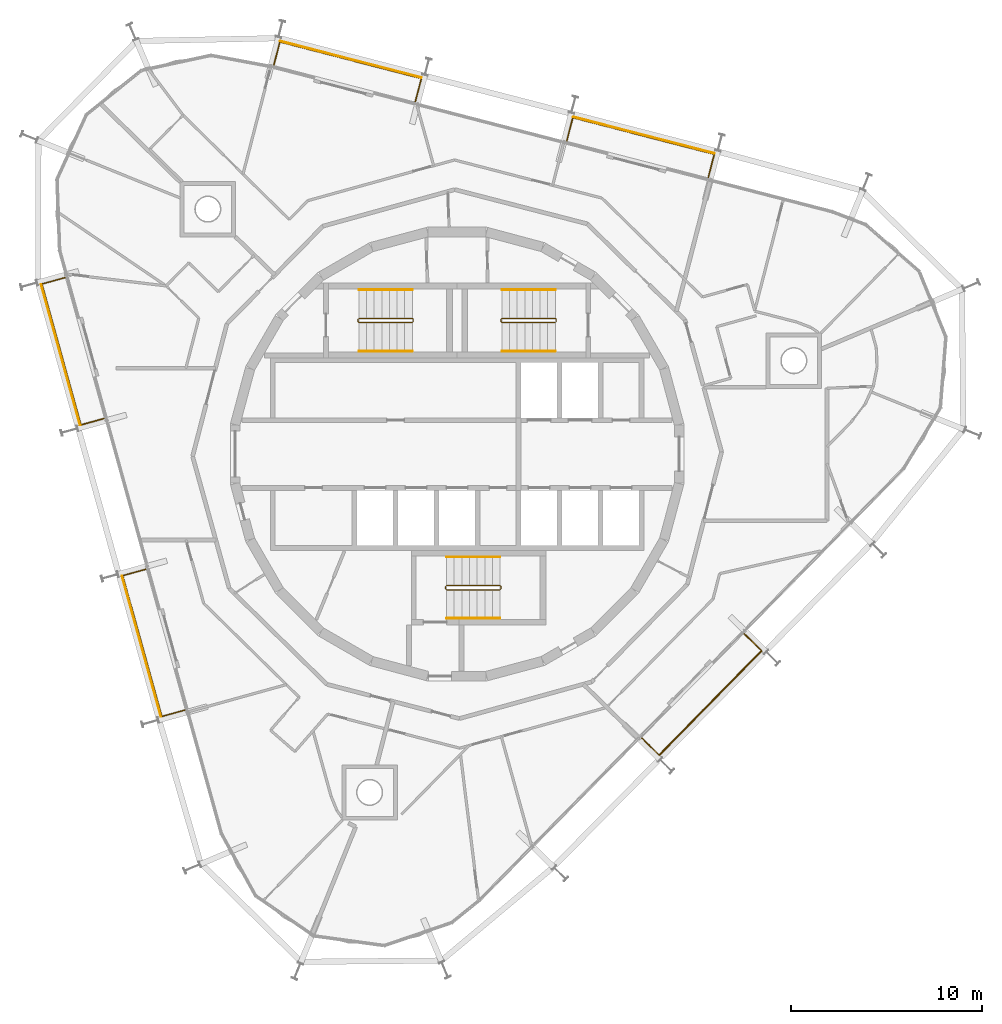
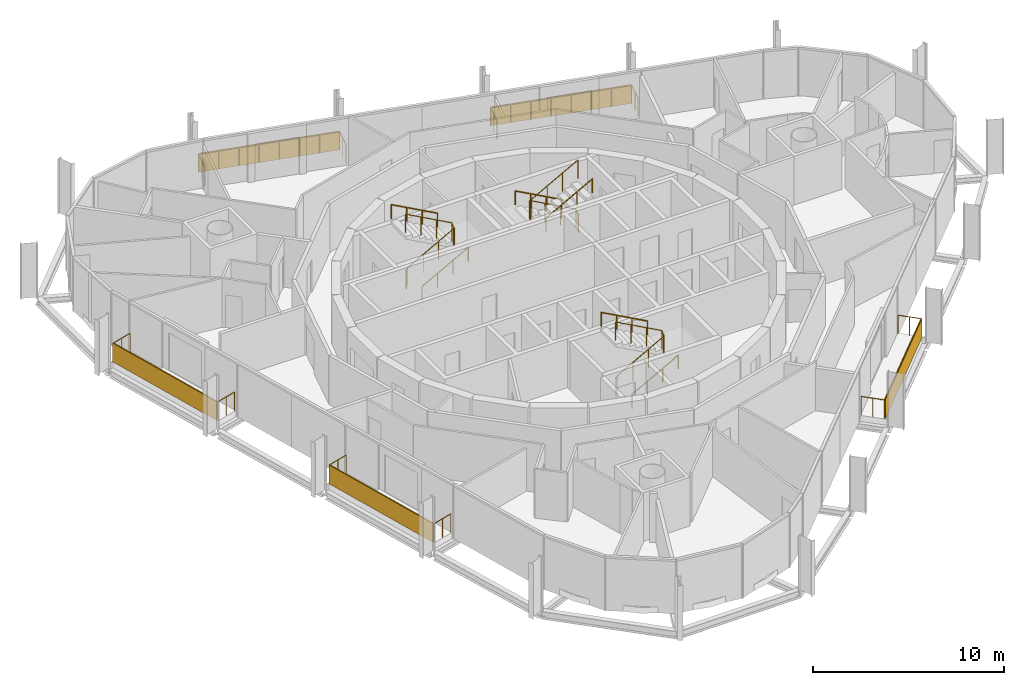
# One storey, part 15 of 15: 14 railings, 5 shading devices.
"""IFC4 building model written with IfcOpenShell, lengths in metres."""

from ifc_helpers import new_model, si_unit, direction, frame, origin, origin_2d, place, context, subcontext, project, spatial, rectangle, circle, extrude, material, layer, layer_set, type_object, element, save


model = new_model("IFC4")

# Units and contexts
model_context = context("Model", 3, precision=1e-05, world=origin(), true_north=direction((0.0, 1.0)))
body_context = subcontext(model_context, "Body", "Model", "MODEL_VIEW")
ifc_project = project(units=[si_unit("LENGTHUNIT", "METRE"), si_unit("AREAUNIT", "SQUARE_METRE"), si_unit("VOLUMEUNIT", "CUBIC_METRE"), si_unit("PLANEANGLEUNIT", "RADIAN"), si_unit("MASSUNIT", "GRAM", prefix="KILO")], contexts=[model_context])

# Site, building, storey
site_placement = place(None, origin())
site = spatial("IfcSite", under=ifc_project, at=site_placement, CompositionType="ELEMENT")
building_placement = place(site_placement, origin())
building = spatial("IfcBuilding", under=site, at=building_placement, Name="Spindle Arch Residences", CompositionType="ELEMENT")
storey_placement = place(building_placement, frame((0.0, 0.0, 308.699951171875)))
storey = spatial("IfcBuildingStorey", under=building, at=storey_placement, Name="L79", CompositionType="ELEMENT", Elevation=308.699951171875)

# Railings
ifc_material_1 = material(Name="Bronze anodised aluminium guard with glass infill", Category="aluminium")
railing_type_1 = type_object("IfcRailingType", Name="Balcony guard 1200", PredefinedType="GUARDRAIL", material=ifc_material_1)
railing_1_placement = place(storey_placement, frame((13.17724609375, 14.517822265625, 0.0)))
element("IfcRailing", 1, at=railing_1_placement, inside=storey, type_object=railing_type_1, Name="Guard L79 bay 6", PredefinedType="GUARDRAIL", context=body_context, shape_type="SweptSolid", body=[
    extrude(circle(Radius=0.02392578125, at=origin_2d()), frame((0.0, 0.0, 1.17578125), z_axis=(0.250385978254, 0.968146095325, 0.0), x_axis=(-0.968146095325, 0.250385978254, 0.0)), (0.0, 0.0, 1.0), 1.25),
    extrude(circle(Radius=0.02392578125, at=origin_2d()), frame((0.31298828125, 1.210205078125, 1.17578125), z_axis=(-0.968154898372, 0.250351937795, 0.0), x_axis=(-0.250351937795, -0.968154898372, 0.0)), (0.0, 0.0, 1.0), 7.6650390625),
    extrude(circle(Radius=0.02392578125, at=origin_2d()), frame((-7.10791015625, 3.129150390625, 1.17578125), z_axis=(-0.250433331774, -0.968133847325, 0.0), x_axis=(0.968133847325, -0.250433331774, 0.0)), (0.0, 0.0, 1.0), 1.249755859375),
    extrude(circle(Radius=0.02099609375, at=origin_2d()), origin(), (0.0, 0.0, 1.0), 1.15185546875),
    extrude(circle(Radius=0.02099609375, at=origin_2d()), frame((0.156494140625, 0.60498046875, 0.0)), (0.0, 0.0, 1.0), 1.15185546875),
    extrude(circle(Radius=0.02099609375, at=origin_2d()), frame((0.31298828125, 1.210205078125, 0.0)), (0.0, 0.0, 1.0), 1.15185546875),
    extrude(circle(Radius=0.02099609375, at=origin_2d()), frame((-0.7470703125, 1.484375, 0.0)), (0.0, 0.0, 1.0), 1.15185546875),
    extrude(circle(Radius=0.02099609375, at=origin_2d()), frame((-1.807373046875, 1.758544921875, 0.0)), (0.0, 0.0, 1.0), 1.15185546875),
    extrude(circle(Radius=0.02099609375, at=origin_2d()), frame((-2.867431640625, 2.03271484375, 0.0)), (0.0, 0.0, 1.0), 1.15185546875),
    extrude(circle(Radius=0.02099609375, at=origin_2d()), frame((-3.927490234375, 2.306640625, 0.0)), (0.0, 0.0, 1.0), 1.15185546875),
    extrude(circle(Radius=0.02099609375, at=origin_2d()), frame((-4.987548828125, 2.580810546875, 0.0)), (0.0, 0.0, 1.0), 1.15185546875),
    extrude(circle(Radius=0.02099609375, at=origin_2d()), frame((-6.0478515625, 2.85498046875, 0.0)), (0.0, 0.0, 1.0), 1.15185546875),
    extrude(circle(Radius=0.02099609375, at=origin_2d()), frame((-7.10791015625, 3.129150390625, 0.0)), (0.0, 0.0, 1.0), 1.15185546875),
    extrude(circle(Radius=0.02099609375, at=origin_2d()), frame((-7.264404296875, 2.524169921875, 0.0)), (0.0, 0.0, 1.0), 1.15185546875),
    extrude(circle(Radius=0.02099609375, at=origin_2d()), frame((-7.4208984375, 1.919189453125, 0.0)), (0.0, 0.0, 1.0), 1.15185546875),
])
railing_2_placement = place(storey_placement, frame((-2.1875, 18.4912109375, 0.0)))
element("IfcRailing", 2, at=railing_2_placement, inside=storey, type_object=railing_type_1, Name="Guard L79 bay 8", PredefinedType="GUARDRAIL", context=body_context, shape_type="SweptSolid", body=[
    extrude(circle(Radius=0.02392578125, at=origin_2d()), frame((0.0, 0.0, 1.17578125), z_axis=(0.250385978254, 0.968146095325, 0.0), x_axis=(-0.968146095325, 0.250385978254, 0.0)), (0.0, 0.0, 1.0), 1.25),
    extrude(circle(Radius=0.02392578125, at=origin_2d()), frame((0.31298828125, 1.210205078125, 1.17578125), z_axis=(-0.968147177851, 0.250381792508, 0.0), x_axis=(-0.250381792508, -0.968147177851, 0.0)), (0.0, 0.0, 1.0), 7.6650390625),
    extrude(circle(Radius=0.02392578125, at=origin_2d()), frame((-7.10791015625, 3.12939453125, 1.17578125), z_axis=(-0.250385978254, -0.968146095325, 0.0), x_axis=(0.968146095325, -0.250385978254, 0.0)), (0.0, 0.0, 1.0), 1.25),
    extrude(circle(Radius=0.02099609375, at=origin_2d()), origin(), (0.0, 0.0, 1.0), 1.15185546875),
    extrude(circle(Radius=0.02099609375, at=origin_2d()), frame((0.156494140625, 0.60498046875, 0.0)), (0.0, 0.0, 1.0), 1.15185546875),
    extrude(circle(Radius=0.02099609375, at=origin_2d()), frame((0.31298828125, 1.210205078125, 0.0)), (0.0, 0.0, 1.0), 1.15185546875),
    extrude(circle(Radius=0.02099609375, at=origin_2d()), frame((-0.7470703125, 1.484375, 0.0)), (0.0, 0.0, 1.0), 1.15185546875),
    extrude(circle(Radius=0.02099609375, at=origin_2d()), frame((-1.807373046875, 1.758544921875, 0.0)), (0.0, 0.0, 1.0), 1.15185546875),
    extrude(circle(Radius=0.02099609375, at=origin_2d()), frame((-2.867431640625, 2.03271484375, 0.0)), (0.0, 0.0, 1.0), 1.15185546875),
    extrude(circle(Radius=0.02099609375, at=origin_2d()), frame((-3.927490234375, 2.306884765625, 0.0)), (0.0, 0.0, 1.0), 1.15185546875),
    extrude(circle(Radius=0.02099609375, at=origin_2d()), frame((-4.987548828125, 2.5810546875, 0.0)), (0.0, 0.0, 1.0), 1.15185546875),
    extrude(circle(Radius=0.02099609375, at=origin_2d()), frame((-6.0478515625, 2.855224609375, 0.0)), (0.0, 0.0, 1.0), 1.15185546875),
    extrude(circle(Radius=0.02099609375, at=origin_2d()), frame((-7.10791015625, 3.12939453125, 0.0)), (0.0, 0.0, 1.0), 1.15185546875),
    extrude(circle(Radius=0.02099609375, at=origin_2d()), frame((-7.264404296875, 2.5244140625, 0.0)), (0.0, 0.0, 1.0), 1.15185546875),
    extrude(circle(Radius=0.02099609375, at=origin_2d()), frame((-7.4208984375, 1.919189453125, 0.0)), (0.0, 0.0, 1.0), 1.15185546875),
])
railing_3_placement = place(storey_placement, frame((-20.574951171875, 9.250732421875, 0.0)))
element("IfcRailing", 3, at=railing_3_placement, inside=storey, type_object=railing_type_1, Name="Guard L79 bay 12", PredefinedType="GUARDRAIL", context=body_context, shape_type="SweptSolid", body=[
    extrude(circle(Radius=0.02392578125, at=origin_2d()), frame((0.0, 0.0, 1.17578125), z_axis=(-0.963596211055, -0.267361818592, 0.0), x_axis=(0.267361818592, -0.963596211055, 0.0)), (0.0, 0.0, 1.0), 1.25),
    extrude(circle(Radius=0.02392578125, at=origin_2d()), frame((-1.20458984375, -0.334228515625, 1.17578125), z_axis=(0.267233148219, -0.963631903007, 0.0), x_axis=(0.963631903007, 0.267233148219, 0.0)), (0.0, 0.0, 1.0), 7.6650390625),
    extrude(circle(Radius=0.02392578125, at=origin_2d()), frame((0.84375, -7.720458984375, 1.17578125), z_axis=(0.963646510798, 0.267180467526, 0.0), x_axis=(-0.267180467526, 0.963646510798, 0.0)), (0.0, 0.0, 1.0), 1.25),
    extrude(circle(Radius=0.02099609375, at=origin_2d()), origin(), (0.0, 0.0, 1.0), 1.15185546875),
    extrude(circle(Radius=0.02099609375, at=origin_2d()), frame((-0.602294921875, -0.1669921875, 0.0)), (0.0, 0.0, 1.0), 1.15185546875),
    extrude(circle(Radius=0.02099609375, at=origin_2d()), frame((-1.20458984375, -0.334228515625, 0.0)), (0.0, 0.0, 1.0), 1.15185546875),
    extrude(circle(Radius=0.02099609375, at=origin_2d()), frame((-0.911865234375, -1.389404296875, 0.0)), (0.0, 0.0, 1.0), 1.15185546875),
    extrude(circle(Radius=0.02099609375, at=origin_2d()), frame((-0.619384765625, -2.444580078125, 0.0)), (0.0, 0.0, 1.0), 1.15185546875),
    extrude(circle(Radius=0.02099609375, at=origin_2d()), frame((-0.32666015625, -3.499755859375, 0.0)), (0.0, 0.0, 1.0), 1.15185546875),
    extrude(circle(Radius=0.02099609375, at=origin_2d()), frame((-0.0341796875, -4.554931640625, 0.0)), (0.0, 0.0, 1.0), 1.15185546875),
    extrude(circle(Radius=0.02099609375, at=origin_2d()), frame((0.258544921875, -5.610107421875, 0.0)), (0.0, 0.0, 1.0), 1.15185546875),
    extrude(circle(Radius=0.02099609375, at=origin_2d()), frame((0.551025390625, -6.665283203125, 0.0)), (0.0, 0.0, 1.0), 1.15185546875),
    extrude(circle(Radius=0.02099609375, at=origin_2d()), frame((0.84375, -7.720458984375, 0.0)), (0.0, 0.0, 1.0), 1.15185546875),
    extrude(circle(Radius=0.02099609375, at=origin_2d()), frame((1.446044921875, -7.553466796875, 0.0)), (0.0, 0.0, 1.0), 1.15185546875),
    extrude(circle(Radius=0.02099609375, at=origin_2d()), frame((2.04833984375, -7.386474609375, 0.0)), (0.0, 0.0, 1.0), 1.15185546875),
])
railing_4_placement = place(storey_placement, frame((-16.333984375, -6.042236328125, 0.0)))
element("IfcRailing", 4, at=railing_4_placement, inside=storey, type_object=railing_type_1, Name="Guard L79 bay 14", PredefinedType="GUARDRAIL", context=body_context, shape_type="SweptSolid", body=[
    extrude(circle(Radius=0.02392578125, at=origin_2d()), frame((0.0, 0.0, 1.17578125), z_axis=(-0.963596211055, -0.267361818592, 0.0), x_axis=(0.267361818592, -0.963596211055, 0.0)), (0.0, 0.0, 1.0), 1.25),
    extrude(circle(Radius=0.02392578125, at=origin_2d()), frame((-1.20458984375, -0.334228515625, 1.17578125), z_axis=(0.267262724609, -0.963623700432, 0.0), x_axis=(0.963623700432, 0.267262724609, 0.0)), (0.0, 0.0, 1.0), 7.6650390625),
    extrude(circle(Radius=0.02392578125, at=origin_2d()), frame((0.843994140625, -7.720458984375, 1.17578125), z_axis=(0.963632564766, 0.26723076193, 0.0), x_axis=(-0.26723076193, 0.963632564766, 0.0)), (0.0, 0.0, 1.0), 1.249755859375),
    extrude(circle(Radius=0.02099609375, at=origin_2d()), origin(), (0.0, 0.0, 1.0), 1.15185546875),
    extrude(circle(Radius=0.02099609375, at=origin_2d()), frame((-0.602294921875, -0.1669921875, 0.0)), (0.0, 0.0, 1.0), 1.15185546875),
    extrude(circle(Radius=0.02099609375, at=origin_2d()), frame((-1.20458984375, -0.334228515625, 0.0)), (0.0, 0.0, 1.0), 1.15185546875),
    extrude(circle(Radius=0.02099609375, at=origin_2d()), frame((-0.911865234375, -1.389404296875, 0.0)), (0.0, 0.0, 1.0), 1.15185546875),
    extrude(circle(Radius=0.02099609375, at=origin_2d()), frame((-0.619384765625, -2.444580078125, 0.0)), (0.0, 0.0, 1.0), 1.15185546875),
    extrude(circle(Radius=0.02099609375, at=origin_2d()), frame((-0.32666015625, -3.499755859375, 0.0)), (0.0, 0.0, 1.0), 1.15185546875),
    extrude(circle(Radius=0.02099609375, at=origin_2d()), frame((-0.033935546875, -4.554931640625, 0.0)), (0.0, 0.0, 1.0), 1.15185546875),
    extrude(circle(Radius=0.02099609375, at=origin_2d()), frame((0.2587890625, -5.610107421875, 0.0)), (0.0, 0.0, 1.0), 1.15185546875),
    extrude(circle(Radius=0.02099609375, at=origin_2d()), frame((0.55126953125, -6.665283203125, 0.0)), (0.0, 0.0, 1.0), 1.15185546875),
    extrude(circle(Radius=0.02099609375, at=origin_2d()), frame((0.843994140625, -7.720458984375, 0.0)), (0.0, 0.0, 1.0), 1.15185546875),
    extrude(circle(Radius=0.02099609375, at=origin_2d()), frame((1.4462890625, -7.553466796875, 0.0)), (0.0, 0.0, 1.0), 1.15185546875),
    extrude(circle(Radius=0.02099609375, at=origin_2d()), frame((2.04833984375, -7.386474609375, 0.0)), (0.0, 0.0, 1.0), 1.15185546875),
])
railing_5_placement = place(storey_placement, frame((9.69189453125, -14.8974609375, 0.0)))
element("IfcRailing", 5, at=railing_5_placement, inside=storey, type_object=railing_type_1, Name="Guard L79 bay 20", PredefinedType="GUARDRAIL", context=body_context, shape_type="SweptSolid", body=[
    extrude(circle(Radius=0.02392578125, at=origin_2d()), frame((0.0, 0.0, 1.17578125), z_axis=(0.713231937859, -0.700928101034, 0.0), x_axis=(0.700928101034, 0.713231937859, 0.0)), (0.0, 0.0, 1.0), 1.25),
    extrude(circle(Radius=0.02392578125, at=origin_2d()), frame((0.8916015625, -0.876220703125, 1.17578125), z_axis=(0.700916720912, 0.713243121485, 0.0), x_axis=(-0.713243121485, 0.700916720912, 0.0)), (0.0, 0.0, 1.0), 7.6650390625),
    extrude(circle(Radius=0.02392578125, at=origin_2d()), frame((6.26416015625, 4.5908203125, 1.17578125), z_axis=(-0.713231937859, 0.700928101034, 0.0), x_axis=(-0.700928101034, -0.713231937859, 0.0)), (0.0, 0.0, 1.0), 1.25),
    extrude(circle(Radius=0.02099609375, at=origin_2d()), origin(), (0.0, 0.0, 1.0), 1.15185546875),
    extrude(circle(Radius=0.02099609375, at=origin_2d()), frame((0.44580078125, -0.43798828125, 0.0)), (0.0, 0.0, 1.0), 1.15185546875),
    extrude(circle(Radius=0.02099609375, at=origin_2d()), frame((0.8916015625, -0.876220703125, 0.0)), (0.0, 0.0, 1.0), 1.15185546875),
    extrude(circle(Radius=0.02099609375, at=origin_2d()), frame((1.6591796875, -0.09521484375, 0.0)), (0.0, 0.0, 1.0), 1.15185546875),
    extrude(circle(Radius=0.02099609375, at=origin_2d()), frame((2.426513671875, 0.685791015625, 0.0)), (0.0, 0.0, 1.0), 1.15185546875),
    extrude(circle(Radius=0.02099609375, at=origin_2d()), frame((3.194091796875, 1.466796875, 0.0)), (0.0, 0.0, 1.0), 1.15185546875),
    extrude(circle(Radius=0.02099609375, at=origin_2d()), frame((3.961669921875, 2.247802734375, 0.0)), (0.0, 0.0, 1.0), 1.15185546875),
    extrude(circle(Radius=0.02099609375, at=origin_2d()), frame((4.729248046875, 3.02880859375, 0.0)), (0.0, 0.0, 1.0), 1.15185546875),
    extrude(circle(Radius=0.02099609375, at=origin_2d()), frame((5.49658203125, 3.809814453125, 0.0)), (0.0, 0.0, 1.0), 1.15185546875),
    extrude(circle(Radius=0.02099609375, at=origin_2d()), frame((6.26416015625, 4.5908203125, 0.0)), (0.0, 0.0, 1.0), 1.15185546875),
    extrude(circle(Radius=0.02099609375, at=origin_2d()), frame((5.818359375, 5.02880859375, 0.0)), (0.0, 0.0, 1.0), 1.15185546875),
    extrude(circle(Radius=0.02099609375, at=origin_2d()), frame((5.37255859375, 5.467041015625, 0.0)), (0.0, 0.0, 1.0), 1.15185546875),
])

# Shading devices
ifc_material_2 = material(Name="Bronze perforated cobogo screen")
ifc_layer = layer(ifc_material_2, 0.0390625)
ifc_layer_set = layer_set([ifc_layer], Name="Cobogo screen 1200")
shading_device_type = type_object("IfcShadingDeviceType", Name="Cobogo screen 1200", PredefinedType="USERDEFINED", material=ifc_layer_set)
for number, where, z_axis, x_axis, name in (
    (6, (9.7900390625, 16.726806640625, 0.0), (0.0, 0.0, 1.0), (-0.968147640378, 0.250380004054, 0.0), "Cobogo screen L79 bay 6"),
    (7, (-5.57470703125, 20.7001953125, 0.0), (0.0, 0.0, 1.0), (-0.968147640378, 0.250380004054, 0.0), "Cobogo screen L79 bay 8"),
    (8, (-20.79443359375, 5.212646484375, 0.0), (0.0, 0.0, 1.0), (0.267238376078, -0.963630453209, 0.0), "Cobogo screen L79 bay 12"),
    (9, (-16.55322265625, -10.080322265625, 0.0), (0.0, 0.0, 1.0), (0.267238376078, -0.963630453209, 0.0), "Cobogo screen L79 bay 14"),
    (10, (13.298583984375, -13.068603515625, 0.0), (0.0, 0.0, 1.0), (0.7009092643, 0.713250449154, 0.0), "Cobogo screen L79 bay 20"),
):
    element("IfcShadingDevice", number, at=place(storey_placement, frame(where, z_axis=z_axis, x_axis=x_axis)), inside=storey, type_object=shading_device_type, Name=name, ObjectType="SCREEN", PredefinedType="USERDEFINED", context=body_context, shape_type="SweptSolid", body=[
        extrude(rectangle(XDim=7.6650390625, YDim=0.0390625, at=origin_2d()), origin(), (0.0, 0.0, 1.0), 1.199951171875),
    ])

# Railings
ifc_material_3 = material(Name="Steel, painted", Category="steel")
railing_type_2 = type_object("IfcRailingType", Name="Stair guard 1100", PredefinedType="GUARDRAIL", material=ifc_material_3)
railing_6_placement = place(storey_placement, frame((5.14990234375, 6.89990234375, 3.5)))
element("IfcRailing", 11, at=railing_6_placement, inside=storey, type_object=railing_type_2, Name="L79 ST1 stair guard 1", PredefinedType="GUARDRAIL", context=body_context, shape_type="SweptSolid", body=[
    extrude(circle(Radius=0.02392578125, at=origin_2d()), frame((0.0, 0.0, 1.17578125), z_axis=(-0.877357048833, 0.0, -0.479838106931), x_axis=(0.0, -1.0, 0.0)), (0.0, 0.0, 1.0), 3.191162109375),
    extrude(circle(Radius=0.02392578125, at=origin_2d()), frame((-2.7998046875, 0.0, -0.35546875), z_axis=(-0.217683172539, 0.217683172539, -0.951434744366), x_axis=(-0.707106781187, -0.707106781187, 0.0)), (0.0, 0.0, 1.0), 0.22998046875),
    extrude(circle(Radius=0.02392578125, at=origin_2d()), frame((-2.849853515625, 0.050048828125, -0.57421875), z_axis=(0.0, 1.0, 0.0), x_axis=(-1.0, 0.0, 0.0)), (0.0, 0.0, 1.0), 0.1201171875),
    extrude(circle(Radius=0.02392578125, at=origin_2d()), frame((-2.849853515625, 0.170166015625, -0.57421875), z_axis=(0.707106781187, 0.707106781187, 0.0), x_axis=(-0.707106781187, 0.707106781187, 0.0)), (0.0, 0.0, 1.0), 0.07080078125),
    extrude(circle(Radius=0.02392578125, at=origin_2d()), frame((-2.7998046875, 0.22021484375, -0.57421875), z_axis=(0.877357048833, 0.0, -0.479838106931), x_axis=(0.0, 1.0, 0.0)), (0.0, 0.0, 1.0), 3.191162109375),
    extrude(circle(Radius=0.02392578125, at=origin_2d()), frame((0.0, 0.22021484375, -2.10546875), z_axis=(0.217683172539, -0.217683172539, -0.951434744366), x_axis=(0.707106781187, 0.707106781187, 0.0)), (0.0, 0.0, 1.0), 0.22998046875),
    extrude(circle(Radius=0.02392578125, at=origin_2d()), frame((0.050048828125, 0.170166015625, -2.32421875), z_axis=(0.0, -1.0, 0.0), x_axis=(1.0, 0.0, 0.0)), (0.0, 0.0, 1.0), 0.1201171875),
    extrude(circle(Radius=0.02099609375, at=origin_2d()), origin(), (0.0, 0.0, 1.0), 1.15185546875),
    extrude(circle(Radius=0.02099609375, at=origin_2d()), frame((-0.933349609375, 0.0, -0.510498046875)), (0.0, 0.0, 1.0), 1.15185546875),
    extrude(circle(Radius=0.02099609375, at=origin_2d()), frame((-1.866455078125, 0.0, -1.020751953125)), (0.0, 0.0, 1.0), 1.15185546875),
    extrude(circle(Radius=0.02099609375, at=origin_2d()), frame((-2.7998046875, 0.0, -1.53125)), (0.0, 0.0, 1.0), 1.15185546875),
    extrude(circle(Radius=0.02099609375, at=origin_2d()), frame((-2.849853515625, 0.050048828125, -1.75)), (0.0, 0.0, 1.0), 1.15185546875),
    extrude(circle(Radius=0.02099609375, at=origin_2d()), frame((-2.849853515625, 0.170166015625, -1.75)), (0.0, 0.0, 1.0), 1.15185546875),
    extrude(circle(Radius=0.02099609375, at=origin_2d()), frame((-2.7998046875, 0.22021484375, -1.75)), (0.0, 0.0, 1.0), 1.15185546875),
    extrude(circle(Radius=0.02099609375, at=origin_2d()), frame((-1.866455078125, 0.22021484375, -2.260498046875)), (0.0, 0.0, 1.0), 1.15185546875),
    extrude(circle(Radius=0.02099609375, at=origin_2d()), frame((-0.933349609375, 0.22021484375, -2.770751953125)), (0.0, 0.0, 1.0), 1.15185546875),
    extrude(circle(Radius=0.02099609375, at=origin_2d()), frame((0.0, 0.22021484375, -3.28125)), (0.0, 0.0, 1.0), 1.15185546875),
    extrude(circle(Radius=0.02099609375, at=origin_2d()), frame((0.050048828125, 0.170166015625, -3.5)), (0.0, 0.0, 1.0), 1.15185546875),
    extrude(circle(Radius=0.02099609375, at=origin_2d()), frame((0.050048828125, 0.050048828125, -3.5)), (0.0, 0.0, 1.0), 1.15185546875),
])
railing_7_placement = place(storey_placement, frame((-5.14990234375, 7.1201171875, 3.5)))
element("IfcRailing", 12, at=railing_7_placement, inside=storey, type_object=railing_type_2, Name="L79 ST2 stair guard 1", PredefinedType="GUARDRAIL", context=body_context, shape_type="SweptSolid", body=[
    extrude(circle(Radius=0.02392578125, at=origin_2d()), frame((0.0, 0.0, 1.17578125), z_axis=(0.877357048833, 0.0, -0.479838106931), x_axis=(0.0, 1.0, 0.0)), (0.0, 0.0, 1.0), 3.191162109375),
    extrude(circle(Radius=0.02392578125, at=origin_2d()), frame((2.7998046875, 0.0, -0.35546875), z_axis=(0.217683172539, -0.217683172539, -0.951434744366), x_axis=(0.707106781187, 0.707106781187, 0.0)), (0.0, 0.0, 1.0), 0.22998046875),
    extrude(circle(Radius=0.02392578125, at=origin_2d()), frame((2.849853515625, -0.050048828125, -0.57421875), z_axis=(0.0, -1.0, 0.0), x_axis=(1.0, 0.0, 0.0)), (0.0, 0.0, 1.0), 0.1201171875),
    extrude(circle(Radius=0.02392578125, at=origin_2d()), frame((2.849853515625, -0.170166015625, -0.57421875), z_axis=(-0.707106781187, -0.707106781187, 0.0), x_axis=(0.707106781187, -0.707106781187, 0.0)), (0.0, 0.0, 1.0), 0.07080078125),
    extrude(circle(Radius=0.02392578125, at=origin_2d()), frame((2.7998046875, -0.22021484375, -0.57421875), z_axis=(-0.877357048833, 0.0, -0.479838106931), x_axis=(0.0, -1.0, 0.0)), (0.0, 0.0, 1.0), 3.191162109375),
    extrude(circle(Radius=0.02392578125, at=origin_2d()), frame((0.0, -0.22021484375, -2.10546875), z_axis=(-0.217683172539, 0.217683172539, -0.951434744366), x_axis=(-0.707106781187, -0.707106781187, 0.0)), (0.0, 0.0, 1.0), 0.22998046875),
    extrude(circle(Radius=0.02392578125, at=origin_2d()), frame((-0.050048828125, -0.170166015625, -2.32421875), z_axis=(0.0, 1.0, 0.0), x_axis=(-1.0, 0.0, 0.0)), (0.0, 0.0, 1.0), 0.1201171875),
    extrude(circle(Radius=0.02099609375, at=origin_2d()), origin(), (0.0, 0.0, 1.0), 1.15185546875),
    extrude(circle(Radius=0.02099609375, at=origin_2d()), frame((0.933349609375, 0.0, -0.510498046875)), (0.0, 0.0, 1.0), 1.15185546875),
    extrude(circle(Radius=0.02099609375, at=origin_2d()), frame((1.866455078125, 0.0, -1.020751953125)), (0.0, 0.0, 1.0), 1.15185546875),
    extrude(circle(Radius=0.02099609375, at=origin_2d()), frame((2.7998046875, 0.0, -1.53125)), (0.0, 0.0, 1.0), 1.15185546875),
    extrude(circle(Radius=0.02099609375, at=origin_2d()), frame((2.849853515625, -0.050048828125, -1.75)), (0.0, 0.0, 1.0), 1.15185546875),
    extrude(circle(Radius=0.02099609375, at=origin_2d()), frame((2.849853515625, -0.170166015625, -1.75)), (0.0, 0.0, 1.0), 1.15185546875),
    extrude(circle(Radius=0.02099609375, at=origin_2d()), frame((2.7998046875, -0.22021484375, -1.75)), (0.0, 0.0, 1.0), 1.15185546875),
    extrude(circle(Radius=0.02099609375, at=origin_2d()), frame((1.866455078125, -0.22021484375, -2.260498046875)), (0.0, 0.0, 1.0), 1.15185546875),
    extrude(circle(Radius=0.02099609375, at=origin_2d()), frame((0.933349609375, -0.22021484375, -2.770751953125)), (0.0, 0.0, 1.0), 1.15185546875),
    extrude(circle(Radius=0.02099609375, at=origin_2d()), frame((0.0, -0.22021484375, -3.28125)), (0.0, 0.0, 1.0), 1.15185546875),
    extrude(circle(Radius=0.02099609375, at=origin_2d()), frame((-0.050048828125, -0.170166015625, -3.5)), (0.0, 0.0, 1.0), 1.15185546875),
    extrude(circle(Radius=0.02099609375, at=origin_2d()), frame((-0.050048828125, -0.050048828125, -3.5)), (0.0, 0.0, 1.0), 1.15185546875),
])
railing_8_placement = place(storey_placement, frame((-0.550048828125, -6.89990234375, 3.5)))
element("IfcRailing", 13, at=railing_8_placement, inside=storey, type_object=railing_type_2, Name="L79 ST3 stair guard 1", PredefinedType="GUARDRAIL", context=body_context, shape_type="SweptSolid", body=[
    extrude(circle(Radius=0.02392578125, at=origin_2d()), frame((0.0, 0.0, 1.17578125), z_axis=(0.877374661878, 0.0, -0.479805901063), x_axis=(0.0, 1.0, 0.0)), (0.0, 0.0, 1.0), 3.19140625),
    extrude(circle(Radius=0.02392578125, at=origin_2d()), frame((2.800048828125, 0.0, -0.35546875), z_axis=(0.217683172539, -0.217683172539, -0.951434744366), x_axis=(0.707106781187, 0.707106781187, 0.0)), (0.0, 0.0, 1.0), 0.22998046875),
    extrude(circle(Radius=0.02392578125, at=origin_2d()), frame((2.85009765625, -0.050048828125, -0.57421875), z_axis=(0.0, -1.0, 0.0), x_axis=(1.0, 0.0, 0.0)), (0.0, 0.0, 1.0), 0.1201171875),
    extrude(circle(Radius=0.02392578125, at=origin_2d()), frame((2.85009765625, -0.170166015625, -0.57421875), z_axis=(-0.707106781187, -0.707106781187, 0.0), x_axis=(0.707106781187, -0.707106781187, 0.0)), (0.0, 0.0, 1.0), 0.07080078125),
    extrude(circle(Radius=0.02392578125, at=origin_2d()), frame((2.800048828125, -0.22021484375, -0.57421875), z_axis=(-0.877374661878, 0.0, -0.479805901063), x_axis=(0.0, -1.0, 0.0)), (0.0, 0.0, 1.0), 3.19140625),
    extrude(circle(Radius=0.02392578125, at=origin_2d()), frame((0.0, -0.22021484375, -2.10546875), z_axis=(-0.217683172539, 0.217683172539, -0.951434744366), x_axis=(-0.707106781187, -0.707106781187, 0.0)), (0.0, 0.0, 1.0), 0.22998046875),
    extrude(circle(Radius=0.02392578125, at=origin_2d()), frame((-0.050048828125, -0.170166015625, -2.32421875), z_axis=(0.0, 1.0, 0.0), x_axis=(-1.0, 0.0, 0.0)), (0.0, 0.0, 1.0), 0.1201171875),
    extrude(circle(Radius=0.02099609375, at=origin_2d()), origin(), (0.0, 0.0, 1.0), 1.15185546875),
    extrude(circle(Radius=0.02099609375, at=origin_2d()), frame((0.933349609375, 0.0, -0.510498046875)), (0.0, 0.0, 1.0), 1.15185546875),
    extrude(circle(Radius=0.02099609375, at=origin_2d()), frame((1.86669921875, 0.0, -1.020751953125)), (0.0, 0.0, 1.0), 1.15185546875),
    extrude(circle(Radius=0.02099609375, at=origin_2d()), frame((2.800048828125, 0.0, -1.53125)), (0.0, 0.0, 1.0), 1.15185546875),
    extrude(circle(Radius=0.02099609375, at=origin_2d()), frame((2.85009765625, -0.050048828125, -1.75)), (0.0, 0.0, 1.0), 1.15185546875),
    extrude(circle(Radius=0.02099609375, at=origin_2d()), frame((2.85009765625, -0.170166015625, -1.75)), (0.0, 0.0, 1.0), 1.15185546875),
    extrude(circle(Radius=0.02099609375, at=origin_2d()), frame((2.800048828125, -0.22021484375, -1.75)), (0.0, 0.0, 1.0), 1.15185546875),
    extrude(circle(Radius=0.02099609375, at=origin_2d()), frame((1.86669921875, -0.22021484375, -2.260498046875)), (0.0, 0.0, 1.0), 1.15185546875),
    extrude(circle(Radius=0.02099609375, at=origin_2d()), frame((0.933349609375, -0.22021484375, -2.770751953125)), (0.0, 0.0, 1.0), 1.15185546875),
    extrude(circle(Radius=0.02099609375, at=origin_2d()), frame((0.0, -0.22021484375, -3.28125)), (0.0, 0.0, 1.0), 1.15185546875),
    extrude(circle(Radius=0.02099609375, at=origin_2d()), frame((-0.050048828125, -0.170166015625, -3.5)), (0.0, 0.0, 1.0), 1.15185546875),
    extrude(circle(Radius=0.02099609375, at=origin_2d()), frame((-0.050048828125, -0.050048828125, -3.5)), (0.0, 0.0, 1.0), 1.15185546875),
])
ifc_material_4 = material(Name="Steel, painted", Category="steel")
railing_type_3 = type_object("IfcRailingType", Name="Stair handrail 900", PredefinedType="HANDRAIL", material=ifc_material_4)
railing_9_placement = place(storey_placement, frame((5.14990234375, 8.6201171875, 0.21875)))
element("IfcRailing", 14, at=railing_9_placement, inside=storey, type_object=railing_type_3, Name="L79 ST1 stair handrail 1", PredefinedType="HANDRAIL", context=body_context, shape_type="SweptSolid", body=[
    extrude(circle(Radius=0.02392578125, at=origin_2d()), frame((0.0, 0.0, 0.8759765625), z_axis=(-0.877357048833, 0.0, 0.479838106931), x_axis=(0.0, -1.0, 0.0)), (0.0, 0.0, 1.0), 3.191162109375),
    extrude(circle(Radius=0.02099609375, at=origin_2d()), origin(), (0.0, 0.0, 1.0), 0.851806640625),
    extrude(circle(Radius=0.02099609375, at=origin_2d()), frame((-0.933349609375, 0.0, 0.510498046875)), (0.0, 0.0, 1.0), 0.851806640625),
    extrude(circle(Radius=0.02099609375, at=origin_2d()), frame((-1.866455078125, 0.0, 1.020751953125)), (0.0, 0.0, 1.0), 0.851806640625),
    extrude(circle(Radius=0.02099609375, at=origin_2d()), frame((-2.7998046875, 0.0, 1.53125)), (0.0, 0.0, 1.0), 0.851806640625),
])
for number, where, name in (
    (15, (2.35009765625, 5.39990234375, 1.96875), "L79 ST1 stair handrail 2"),
    (16, (-5.14990234375, 5.39990234375, 0.21875), "L79 ST2 stair handrail 1"),
):
    element("IfcRailing", number, at=place(storey_placement, frame(where)), inside=storey, type_object=railing_type_3, Name=name, PredefinedType="HANDRAIL", context=body_context, shape_type="SweptSolid", body=[
        extrude(circle(Radius=0.02392578125, at=origin_2d()), frame((0.0, 0.0, 0.8759765625), z_axis=(0.877357048833, 0.0, 0.479838106931), x_axis=(0.0, 1.0, 0.0)), (0.0, 0.0, 1.0), 3.191162109375),
        extrude(circle(Radius=0.02099609375, at=origin_2d()), origin(), (0.0, 0.0, 1.0), 0.851806640625),
        extrude(circle(Radius=0.02099609375, at=origin_2d()), frame((0.933349609375, 0.0, 0.510498046875)), (0.0, 0.0, 1.0), 0.851806640625),
        extrude(circle(Radius=0.02099609375, at=origin_2d()), frame((1.866455078125, 0.0, 1.020751953125)), (0.0, 0.0, 1.0), 0.851806640625),
        extrude(circle(Radius=0.02099609375, at=origin_2d()), frame((2.7998046875, 0.0, 1.53125)), (0.0, 0.0, 1.0), 0.851806640625),
    ])
railing_10_placement = place(storey_placement, frame((-2.35009765625, 8.6201171875, 1.96875)))
element("IfcRailing", 17, at=railing_10_placement, inside=storey, type_object=railing_type_3, Name="L79 ST2 stair handrail 2", PredefinedType="HANDRAIL", context=body_context, shape_type="SweptSolid", body=[
    extrude(circle(Radius=0.02392578125, at=origin_2d()), frame((0.0, 0.0, 0.8759765625), z_axis=(-0.877357048833, 0.0, 0.479838106931), x_axis=(0.0, -1.0, 0.0)), (0.0, 0.0, 1.0), 3.191162109375),
    extrude(circle(Radius=0.02099609375, at=origin_2d()), origin(), (0.0, 0.0, 1.0), 0.851806640625),
    extrude(circle(Radius=0.02099609375, at=origin_2d()), frame((-0.933349609375, 0.0, 0.510498046875)), (0.0, 0.0, 1.0), 0.851806640625),
    extrude(circle(Radius=0.02099609375, at=origin_2d()), frame((-1.866455078125, 0.0, 1.020751953125)), (0.0, 0.0, 1.0), 0.851806640625),
    extrude(circle(Radius=0.02099609375, at=origin_2d()), frame((-2.7998046875, 0.0, 1.53125)), (0.0, 0.0, 1.0), 0.851806640625),
])
railing_11_placement = place(storey_placement, frame((-0.550048828125, -8.6201171875, 0.21875)))
element("IfcRailing", 18, at=railing_11_placement, inside=storey, type_object=railing_type_3, Name="L79 ST3 stair handrail 1", PredefinedType="HANDRAIL", context=body_context, shape_type="SweptSolid", body=[
    extrude(circle(Radius=0.02392578125, at=origin_2d()), frame((0.0, 0.0, 0.8759765625), z_axis=(0.877374661878, 0.0, 0.479805901063), x_axis=(0.0, 1.0, 0.0)), (0.0, 0.0, 1.0), 3.19140625),
    extrude(circle(Radius=0.02099609375, at=origin_2d()), origin(), (0.0, 0.0, 1.0), 0.851806640625),
    extrude(circle(Radius=0.02099609375, at=origin_2d()), frame((0.933349609375, 0.0, 0.510498046875)), (0.0, 0.0, 1.0), 0.851806640625),
    extrude(circle(Radius=0.02099609375, at=origin_2d()), frame((1.86669921875, 0.0, 1.020751953125)), (0.0, 0.0, 1.0), 0.851806640625),
    extrude(circle(Radius=0.02099609375, at=origin_2d()), frame((2.800048828125, 0.0, 1.53125)), (0.0, 0.0, 1.0), 0.851806640625),
])
railing_12_placement = place(storey_placement, frame((2.25, -5.39990234375, 1.96875)))
element("IfcRailing", 19, at=railing_12_placement, inside=storey, type_object=railing_type_3, Name="L79 ST3 stair handrail 2", PredefinedType="HANDRAIL", context=body_context, shape_type="SweptSolid", body=[
    extrude(circle(Radius=0.02392578125, at=origin_2d()), frame((0.0, 0.0, 0.8759765625), z_axis=(-0.877374661878, 0.0, 0.479805901063), x_axis=(0.0, -1.0, 0.0)), (0.0, 0.0, 1.0), 3.19140625),
    extrude(circle(Radius=0.02099609375, at=origin_2d()), origin(), (0.0, 0.0, 1.0), 0.851806640625),
    extrude(circle(Radius=0.02099609375, at=origin_2d()), frame((-0.933349609375, 0.0, 0.510498046875)), (0.0, 0.0, 1.0), 0.851806640625),
    extrude(circle(Radius=0.02099609375, at=origin_2d()), frame((-1.86669921875, 0.0, 1.020751953125)), (0.0, 0.0, 1.0), 0.851806640625),
    extrude(circle(Radius=0.02099609375, at=origin_2d()), frame((-2.800048828125, 0.0, 1.53125)), (0.0, 0.0, 1.0), 0.851806640625),
])

save(model, "model.ifc")
